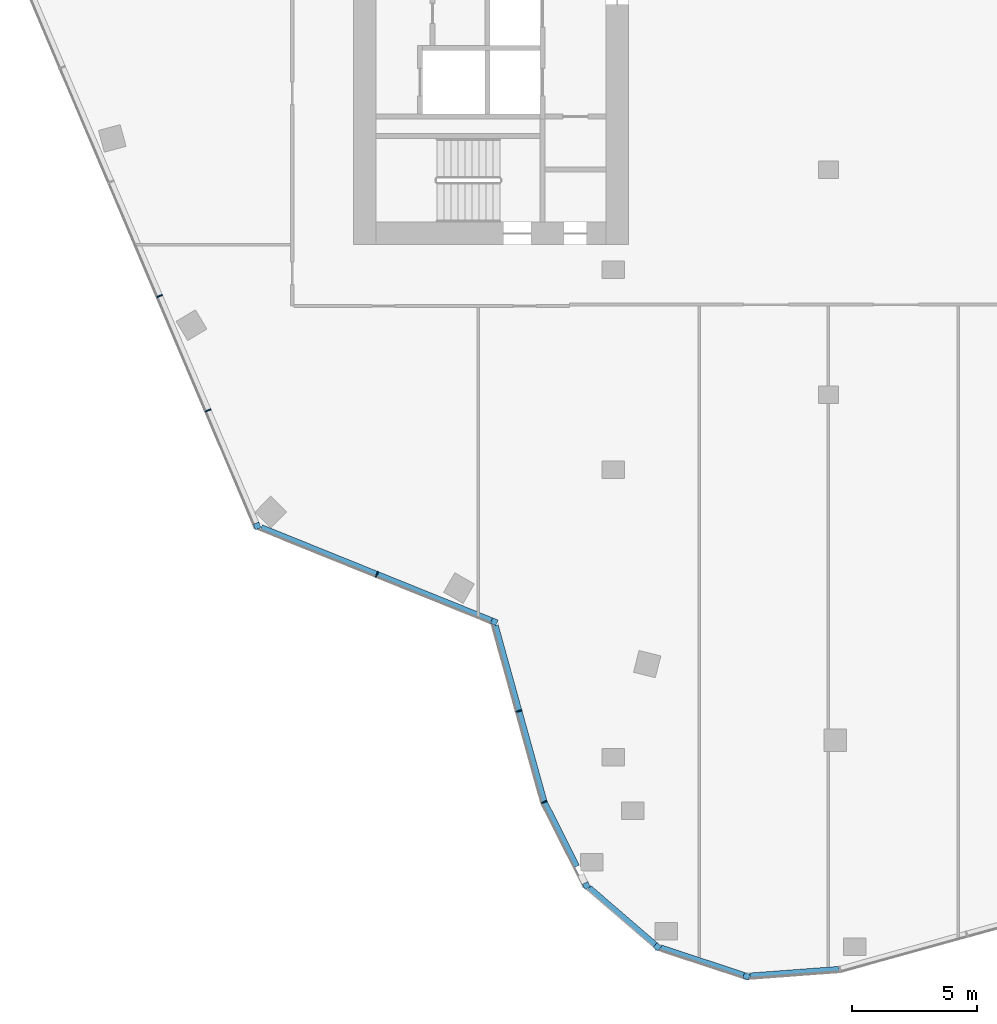
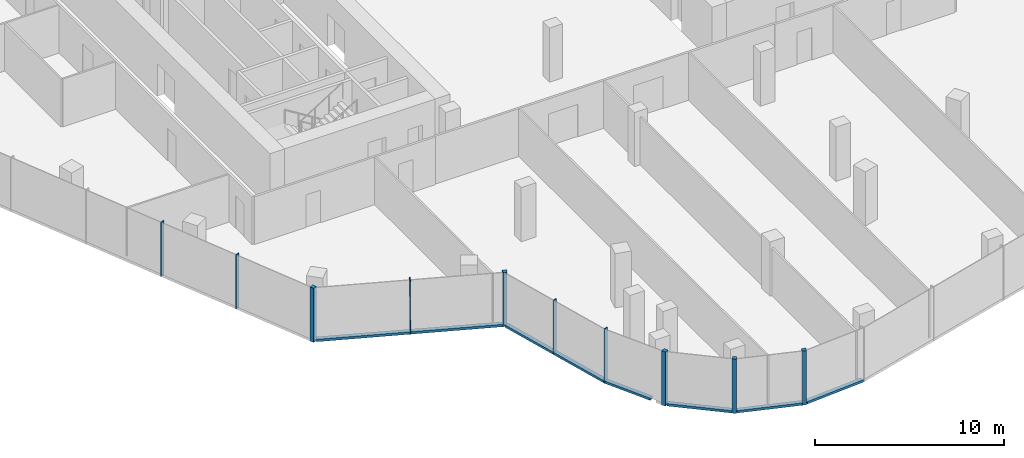
# One storey, part 2 of 16: 16 members, 7 elements without a shape of their own.
"""IFC4 building model written with IfcOpenShell, lengths in metres."""

from ifc_helpers import new_model, si_unit, direction, frame, origin, origin_2d, place, context, subcontext, project, spatial, rectangle, extrude, material, material_profile, profile_set, type_object, element, aggregate, save


model = new_model("IFC4")

# Units and contexts
model_context = context("Model", 3, precision=1e-05, world=origin(), true_north=direction((0.0, 1.0)))
body_context = subcontext(model_context, "Body", "Model", "MODEL_VIEW")
ifc_project = project(units=[si_unit("LENGTHUNIT", "METRE"), si_unit("AREAUNIT", "SQUARE_METRE"), si_unit("VOLUMEUNIT", "CUBIC_METRE"), si_unit("PLANEANGLEUNIT", "RADIAN"), si_unit("MASSUNIT", "GRAM", prefix="KILO")], contexts=[model_context])

# Site, building, storey
site_placement = place(None, origin())
site = spatial("IfcSite", under=ifc_project, at=site_placement, CompositionType="ELEMENT")
building_placement = place(site_placement, origin())
building = spatial("IfcBuilding", under=site, at=building_placement, Name="Orlundy Tower", CompositionType="ELEMENT")
storey_placement = place(building_placement, frame((0.0, 0.0, 282.39990234375)))
storey = spatial("IfcBuildingStorey", under=building, at=storey_placement, Name="L75", CompositionType="ELEMENT", Elevation=282.39990234375)

# Curtain wall, member
ifc_material_1 = material(Name="Aluminium bronze anodised", Category="aluminium")
curtain_wall_type = type_object("IfcCurtainWallType", Name="CW6 wall", PredefinedType="NOTDEFINED", material=ifc_material_1)
curtain_wall_1_placement = place(storey_placement, origin())
curtain_wall_1 = element("IfcCurtainWall", 1, at=curtain_wall_1_placement, inside=storey, type_object=curtain_wall_type, Name="CW6 run 09", PredefinedType="NOTDEFINED")
ifc_material_2 = material(Name="Aluminium bronze anodised", Category="aluminium")
ifc_material_profile_1 = material_profile(ifc_material_2, rectangle(XDim=0.239990234375, YDim=0.239990234375, at=origin_2d()), Name="CW6 corner post 240x240")
ifc_profile_set_1 = profile_set([ifc_material_profile_1], Name="Aluminium bronze anodised")
member_type_1 = type_object("IfcMemberType", Name="CW6 corner post 240x240", PredefinedType="MULLION", material=ifc_profile_set_1)
member_1_placement = place(storey_placement, frame((-3.27392578125, -41.265380859375, -0.39990234375), z_axis=(0.0, 0.0, 1.0), x_axis=(-0.313231470951, -0.949676811134, 0.0)))
member_1 = element("IfcMember", 2, at=member_1_placement, type_object=member_type_1, Name="CW6 mullion 15", PredefinedType="MULLION", context=body_context, shape_type="SweptSolid", body=[
    extrude(rectangle(XDim=0.239990234375, YDim=0.239990234375, at=origin_2d()), origin(), (0.0, 0.0, 1.0), 3.5),
])

curtain_wall_2_placement = place(storey_placement, origin())
curtain_wall_2 = element("IfcCurtainWall", 3, at=curtain_wall_2_placement, inside=storey, type_object=curtain_wall_type, Name="CW6 run 010", PredefinedType="NOTDEFINED")
member_2_placement = place(storey_placement, frame((-6.83935546875, -40.089599609375, -0.39990234375), z_axis=(0.0, 0.0, 1.0), x_axis=(-0.652678052104, -0.757635374241, 0.0)))
member_2 = element("IfcMember", 4, at=member_2_placement, type_object=member_type_1, Name="CW6 mullion 16", PredefinedType="MULLION", context=body_context, shape_type="SweptSolid", body=[
    extrude(rectangle(XDim=0.239990234375, YDim=0.239990234375, at=origin_2d()), origin(), (0.0, 0.0, 1.0), 3.5),
])

curtain_wall_3_placement = place(storey_placement, origin())
curtain_wall_3 = element("IfcCurtainWall", 5, at=curtain_wall_3_placement, inside=storey, type_object=curtain_wall_type, Name="CW6 run 011", PredefinedType="NOTDEFINED")
member_3_placement = place(storey_placement, frame((-9.683349609375, -37.639404296875, -0.39990234375), z_axis=(0.0, 0.0, 1.0), x_axis=(-0.893019858419, -0.450017257968, 0.0)))
member_3 = element("IfcMember", 6, at=member_3_placement, type_object=member_type_1, Name="CW6 mullion 17", PredefinedType="MULLION", context=body_context, shape_type="SweptSolid", body=[
    extrude(rectangle(XDim=0.239990234375, YDim=0.239990234375, at=origin_2d()), origin(), (0.0, 0.0, 1.0), 3.5),
])

curtain_wall_4_placement = place(storey_placement, origin())
curtain_wall_4 = element("IfcCurtainWall", 7, at=curtain_wall_4_placement, inside=storey, type_object=curtain_wall_type, Name="CW6 run 013", PredefinedType="NOTDEFINED")
member_4_placement = place(storey_placement, frame((-13.367919921875, -27.083984375, -0.39990234375), z_axis=(0.0, 0.0, 1.0), x_axis=(-0.374521193474, -0.927218353808, 0.0)))
member_4 = element("IfcMember", 8, at=member_4_placement, type_object=member_type_1, Name="CW6 mullion 20", PredefinedType="MULLION", context=body_context, shape_type="SweptSolid", body=[
    extrude(rectangle(XDim=0.239990234375, YDim=0.239990234375, at=origin_2d()), origin(), (0.0, 0.0, 1.0), 3.5),
])

curtain_wall_5_placement = place(storey_placement, origin())
curtain_wall_5 = element("IfcCurtainWall", 9, at=curtain_wall_5_placement, inside=storey, type_object=curtain_wall_type, Name="CW6 run 014", PredefinedType="NOTDEFINED")
member_5_placement = place(storey_placement, frame((-22.85107421875, -23.253662109375, -0.39990234375), z_axis=(0.0, 0.0, 1.0), x_axis=(-0.920506804854, -0.390726531244, 0.0)))
member_5 = element("IfcMember", 10, at=member_5_placement, type_object=member_type_1, Name="CW6 mullion 22", PredefinedType="MULLION", context=body_context, shape_type="SweptSolid", body=[
    extrude(rectangle(XDim=0.239990234375, YDim=0.239990234375, at=origin_2d()), origin(), (0.0, 0.0, 1.0), 3.5),
])

# Curtain wall, members
curtain_wall_6_placement = place(storey_placement, origin())
curtain_wall_6 = element("IfcCurtainWall", 11, at=curtain_wall_6_placement, inside=storey, type_object=curtain_wall_type, Name="CW6 run 012", PredefinedType="NOTDEFINED")
ifc_material_3 = material(Name="Aluminium bronze anodised", Category="aluminium")
ifc_material_profile_2 = material_profile(ifc_material_3, rectangle(XDim=0.239990234375, YDim=0.050048828125, at=origin_2d()), Name="CW6 mullion 50x240")
ifc_profile_set_2 = profile_set([ifc_material_profile_2], Name="Aluminium bronze anodised")
member_type_2 = type_object("IfcMemberType", Name="CW6 mullion 50x240", PredefinedType="MULLION", material=ifc_profile_set_2)
member_6_placement = place(storey_placement, frame((-11.367431640625, -34.29736328125, -0.39990234375), z_axis=(0.0, 0.0, 1.0), x_axis=(-0.93281502781, -0.360355552047, 0.0)))
member_6 = element("IfcMember", 12, at=member_6_placement, type_object=member_type_2, Name="CW6 mullion 18", PredefinedType="MULLION", context=body_context, shape_type="SweptSolid", body=[
    extrude(rectangle(XDim=0.239990234375, YDim=0.050048828125, at=origin_2d()), origin(), (0.0, 0.0, 1.0), 3.5),
])
member_7_placement = place(storey_placement, frame((-12.377197265625, -30.656494140625, -0.39990234375), z_axis=(0.0, 0.0, 1.0), x_axis=(-0.963633832911, -0.267226188967, 0.0)))
member_7 = element("IfcMember", 13, at=member_7_placement, type_object=member_type_2, Name="CW6 mullion 19", PredefinedType="MULLION", context=body_context, shape_type="SweptSolid", body=[
    extrude(rectangle(XDim=0.239990234375, YDim=0.050048828125, at=origin_2d()), origin(), (0.0, 0.0, 1.0), 3.5),
])

# Member
member_8_placement = place(storey_placement, frame((-18.058837890625, -25.189208984375, -0.39990234375), z_axis=(0.0, 0.0, 1.0), x_axis=(-0.374521193474, -0.927218353808, 0.0)))
member_8 = element("IfcMember", 14, at=member_8_placement, type_object=member_type_2, Name="CW6 mullion 21", PredefinedType="MULLION", context=body_context, shape_type="SweptSolid", body=[
    extrude(rectangle(XDim=0.239990234375, YDim=0.050048828125, at=origin_2d()), origin(), (0.0, 0.0, 1.0), 3.5),
])

member_9_placement = place(storey_placement, frame((-24.812744140625, -18.63232421875, -0.39990234375), z_axis=(0.0, 0.0, 1.0), x_axis=(-0.920506804854, -0.390726531244, 0.0)))
member_9 = element("IfcMember", 15, at=member_9_placement, type_object=member_type_2, Name="CW6 mullion 23", PredefinedType="MULLION", context=body_context, shape_type="SweptSolid", body=[
    extrude(rectangle(XDim=0.239990234375, YDim=0.050048828125, at=origin_2d()), origin(), (0.0, 0.0, 1.0), 3.5),
])

member_10_placement = place(storey_placement, frame((-26.7548828125, -14.056640625, -0.39990234375), z_axis=(0.0, 0.0, 1.0), x_axis=(-0.920506804854, -0.390726531244, 0.0)))
member_10 = element("IfcMember", 16, at=member_10_placement, type_object=member_type_2, Name="CW6 mullion 24", PredefinedType="MULLION", context=body_context, shape_type="SweptSolid", body=[
    extrude(rectangle(XDim=0.239990234375, YDim=0.050048828125, at=origin_2d()), origin(), (0.0, 0.0, 1.0), 3.5),
])

aggregate(curtain_wall_5, [member_5, member_9, member_10])

# Curtain wall, member
curtain_wall_7_placement = place(storey_placement, origin())
curtain_wall_7 = element("IfcCurtainWall", 17, at=curtain_wall_7_placement, inside=storey, type_object=curtain_wall_type, Name="CW6 run 08", PredefinedType="NOTDEFINED")
ifc_material_4 = material(Name="Aluminium bronze anodised", Category="aluminium")
ifc_material_profile_3 = material_profile(ifc_material_4, rectangle(XDim=0.239990234375, YDim=0.159912109375, at=origin_2d()), Name="CW6 transom 240x160")
ifc_profile_set_3 = profile_set([ifc_material_profile_3], Name="Aluminium bronze anodised")
member_type_3 = type_object("IfcMemberType", Name="CW6 transom 240x160", PredefinedType="USERDEFINED", material=ifc_profile_set_3)
member_11_placement = place(storey_placement, frame((0.43359375, -40.98974609375, -0.31982421875), z_axis=(-0.99724542867, -0.074172467912, 0.0), x_axis=(0.074172467912, -0.99724542867, 0.0)))
member_11 = element("IfcMember", 18, at=member_11_placement, type_object=member_type_3, Name="CW6 transom", ObjectType="TRANSOM", PredefinedType="USERDEFINED", context=body_context, shape_type="SweptSolid", body=[
    extrude(rectangle(XDim=0.239990234375, YDim=0.159912109375, at=origin_2d()), origin(), (0.0, 0.0, 1.0), 3.587646484375),
])
aggregate(curtain_wall_7, [member_11])

# Member
member_12_placement = place(storey_placement, frame((-3.387939453125, -41.227783203125, -0.31982421875), z_axis=(-0.949674874064, 0.313237343833, 0.0), x_axis=(-0.313237343833, -0.949674874064, 0.0)))
member_12 = element("IfcMember", 19, at=member_12_placement, type_object=member_type_3, Name="CW6 transom", ObjectType="TRANSOM", PredefinedType="USERDEFINED", context=body_context, shape_type="SweptSolid", body=[
    extrude(rectangle(XDim=0.239990234375, YDim=0.159912109375, at=origin_2d()), origin(), (0.0, 0.0, 1.0), 3.504150390625),
])

aggregate(curtain_wall_1, [member_1, member_12])

member_13_placement = place(storey_placement, frame((-6.93017578125, -40.01123046875, -0.31982421875), z_axis=(-0.757621411438, 0.652694259918, 0.0), x_axis=(-0.652694259918, -0.757621411438, 0.0)))
member_13 = element("IfcMember", 20, at=member_13_placement, type_object=member_type_3, Name="CW6 transom", ObjectType="TRANSOM", PredefinedType="USERDEFINED", context=body_context, shape_type="SweptSolid", body=[
    extrude(rectangle(XDim=0.239990234375, YDim=0.159912109375, at=origin_2d()), origin(), (0.0, 0.0, 1.0), 3.504150390625),
])

aggregate(curtain_wall_2, [member_2, member_13])

member_14_placement = place(storey_placement, frame((-10.068115234375, -36.876220703125, -0.31982421875), z_axis=(-0.449974763399, 0.893041271333, 0.0), x_axis=(-0.893041271333, -0.449974763399, 0.0)))
member_14 = element("IfcMember", 21, at=member_14_placement, type_object=member_type_3, Name="CW6 transom", ObjectType="TRANSOM", PredefinedType="USERDEFINED", context=body_context, shape_type="SweptSolid", body=[
    extrude(rectangle(XDim=0.239990234375, YDim=0.159912109375, at=origin_2d()), origin(), (0.0, 0.0, 1.0), 2.862548828125),
])

aggregate(curtain_wall_3, [member_3, member_14])

member_15_placement = place(storey_placement, frame((-11.374267578125, -34.273193359375, -0.31982421875), z_axis=(-0.267213156818, 0.963637446773, 0.0), x_axis=(-0.963637446773, -0.267213156818, 0.0)))
member_15 = element("IfcMember", 22, at=member_15_placement, type_object=member_type_3, Name="CW6 transom", ObjectType="TRANSOM", PredefinedType="USERDEFINED", context=body_context, shape_type="SweptSolid", body=[
    extrude(rectangle(XDim=0.239990234375, YDim=0.159912109375, at=origin_2d()), origin(), (0.0, 0.0, 1.0), 7.309326171875),
])

aggregate(curtain_wall_6, [member_6, member_7, member_15])

member_16_placement = place(storey_placement, frame((-13.47900390625, -27.0390625, -0.31982421875), z_axis=(-0.927219362219, 0.374518696898, 0.0), x_axis=(-0.374518696898, -0.927219362219, 0.0)))
member_16 = element("IfcMember", 23, at=member_16_placement, type_object=member_type_3, Name="CW6 transom", ObjectType="TRANSOM", PredefinedType="USERDEFINED", context=body_context, shape_type="SweptSolid", body=[
    extrude(rectangle(XDim=0.239990234375, YDim=0.159912109375, at=origin_2d()), origin(), (0.0, 0.0, 1.0), 9.93798828125),
])

aggregate(curtain_wall_4, [member_4, member_8, member_16])

save(model, "model.ifc")
